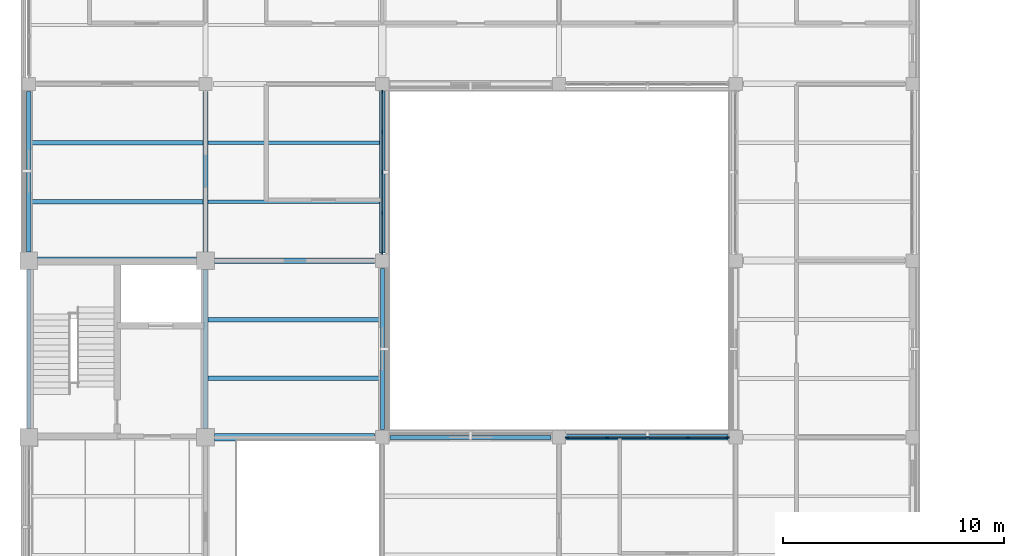
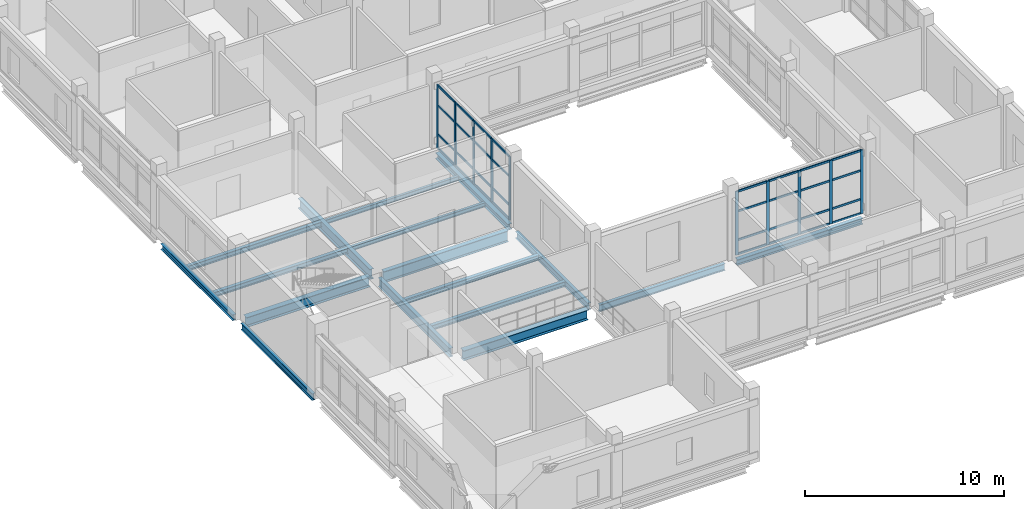
# One storey, part 10 of 121: 42 members, 17 beams, 2 elements without a shape of their own.
"""IFC4 building model written with IfcOpenShell, lengths in metres."""

from ifc_helpers import new_model, si_unit, derived_unit, direction, frame, origin, origin_2d, place, context, subcontext, project, spatial, rectangle, i_section, extrude, material, layer, layer_set, material_profile, profile_set, type_object, element, aggregate, save


model = new_model("IFC4")

# Units and contexts
model_context = context("Model", 3, precision=1e-05, world=origin(), true_north=direction((0.0, 1.0)))
body_context = subcontext(model_context, "Body", "Model", "MODEL_VIEW")
ifc_project = project(units=[si_unit("LENGTHUNIT", "METRE"), si_unit("AREAUNIT", "SQUARE_METRE"), si_unit("VOLUMEUNIT", "CUBIC_METRE"), si_unit("PLANEANGLEUNIT", "RADIAN"), si_unit("MASSUNIT", "GRAM", prefix="KILO"), derived_unit("THERMALTRANSMITTANCEUNIT", [(si_unit("MASSUNIT", "GRAM", prefix="KILO"), 1), (si_unit("TIMEUNIT", "SECOND"), -3), (si_unit("THERMODYNAMICTEMPERATUREUNIT", "KELVIN"), -1)])], contexts=[model_context])

# Site, building, storey
site_placement = place(None, origin())
site = spatial("IfcSite", under=ifc_project, at=site_placement, CompositionType="ELEMENT")
building_placement = place(site_placement, origin())
building = spatial("IfcBuilding", under=site, at=building_placement, Name="Veyamyaing Civic Hall", CompositionType="ELEMENT")
storey_placement = place(building_placement, frame((0.0, 0.0, 5.280029296875)))
storey = spatial("IfcBuildingStorey", under=building, at=storey_placement, Name="L01", CompositionType="ELEMENT", Elevation=5.280029296875)

# Beams
ifc_material_1 = material(Name="Steel ASTM A992", Category="steel")
ifc_material_profile_1 = material_profile(ifc_material_1, i_section(OverallWidth=0.256103515625, OverallDepth=0.693115234375, WebThickness=0.014404296875, FlangeThickness=0.023681640625, FilletRadius=0.013916015625, at=origin_2d()), Name="W690X170")
ifc_profile_set_1 = profile_set([ifc_material_profile_1], Name="Steel ASTM A992")
beam_type_1 = type_object("IfcBeamType", Name="B-04", PredefinedType="BEAM", material=ifc_profile_set_1)
beam_1_placement = place(storey_placement, frame((8.39990234375, 24.0, -0.591552734375), z_axis=(1.0, 0.0, 0.0), x_axis=(0.0, 1.0, 0.0)))
element("IfcBeam", 1, at=beam_1_placement, inside=storey, type_object=beam_type_1, Name="Girder B-04 L01 Grid D 2-3", PredefinedType="BEAM", context=body_context, shape_type="SweptSolid", body=[
    extrude(i_section(OverallWidth=0.256103515625, OverallDepth=0.693115234375, WebThickness=0.014404296875, FlangeThickness=0.023681640625, FilletRadius=0.013916015625, at=origin_2d()), origin(), (0.0, 0.0, 1.0), 7.25),
])
ifc_material_profile_2 = material_profile(ifc_material_1, i_section(OverallWidth=0.22998046875, OverallDepth=0.616943359375, WebThickness=0.01318359375, FlangeThickness=0.022216796875, FilletRadius=0.012939453125, at=origin_2d()), Name="W610X140")
ifc_profile_set_2 = profile_set([ifc_material_profile_2], Name="Steel ASTM A992")
beam_type_2 = type_object("IfcBeamType", Name="B-05", PredefinedType="BEAM", material=ifc_profile_set_2)
beam_2_placement = place(storey_placement, frame((8.0, 24.39990234375, -0.553466796875), z_axis=(0.0, 1.0, 0.0), x_axis=(-1.0, 0.0, 0.0)))
element("IfcBeam", 2, at=beam_2_placement, inside=storey, type_object=beam_type_2, Name="Girder B-05 L01 Grid 2 D-E", PredefinedType="BEAM", context=body_context, shape_type="SweptSolid", body=[
    extrude(i_section(OverallWidth=0.22998046875, OverallDepth=0.616943359375, WebThickness=0.01318359375, FlangeThickness=0.022216796875, FilletRadius=0.012939453125, at=origin_2d()), origin(), (0.0, 0.0, 1.0), 7.25),
])
ifc_material_profile_3 = material_profile(ifc_material_1, i_section(OverallWidth=0.179931640625, OverallDepth=0.4130859375, WebThickness=0.009765625, FlangeThickness=0.01611328125, FilletRadius=0.010009765625, at=origin_2d()), Name="W410X74")
ifc_profile_set_3 = profile_set([ifc_material_profile_3], Name="Steel ASTM A992")
beam_type_3 = type_object("IfcBeamType", Name="B-10", PredefinedType="SPANDREL", material=ifc_profile_set_3)
beam_3_placement = place(storey_placement, frame((0.0, 16.39990234375, -0.451416015625), z_axis=(0.0, 1.0, 0.0), x_axis=(-1.0, 0.0, 0.0)))
element("IfcBeam", 3, at=beam_3_placement, inside=storey, type_object=beam_type_3, Name="Girder B-10 L01 Grid 1 C-D", PredefinedType="SPANDREL", context=body_context, shape_type="SweptSolid", body=[
    extrude(i_section(OverallWidth=0.179931640625, OverallDepth=0.4130859375, WebThickness=0.009765625, FlangeThickness=0.01611328125, FilletRadius=0.010009765625, at=origin_2d()), origin(), (0.0, 0.0, 1.0), 7.2001953125),
])
ifc_material_profile_4 = material_profile(ifc_material_1, i_section(OverallWidth=0.2041015625, OverallDepth=0.35009765625, WebThickness=0.0078125, FlangeThickness=0.01513671875, FilletRadius=0.010009765625, at=origin_2d()), Name="W360X72")
ifc_profile_set_4 = profile_set([ifc_material_profile_4], Name="Steel ASTM A992")
beam_type_4 = type_object("IfcBeamType", Name="B-11", PredefinedType="SPANDREL", material=ifc_profile_set_4)
beam_4_placement = place(storey_placement, frame((0.0, 24.39990234375, -0.419921875), z_axis=(0.0, 1.0, 0.0), x_axis=(-1.0, 0.0, 0.0)))
element("IfcBeam", 4, at=beam_4_placement, inside=storey, type_object=beam_type_4, Name="Girder B-11 L01 Grid 1 D-E", PredefinedType="SPANDREL", context=body_context, shape_type="SweptSolid", body=[
    extrude(i_section(OverallWidth=0.2041015625, OverallDepth=0.35009765625, WebThickness=0.0078125, FlangeThickness=0.01513671875, FilletRadius=0.010009765625, at=origin_2d()), origin(), (0.0, 0.0, 1.0), 7.25),
])
ifc_material_profile_5 = material_profile(ifc_material_1, i_section(OverallWidth=0.324951171875, OverallDepth=0.615966796875, WebThickness=0.013916015625, FlangeThickness=0.021484375, FilletRadius=0.013916015625, at=origin_2d()), Name="W610X174")
ifc_profile_set_5 = profile_set([ifc_material_profile_5], Name="Steel ASTM A992")
beam_type_5 = type_object("IfcBeamType", Name="B-15", PredefinedType="BEAM", material=ifc_profile_set_5)
beam_5_placement = place(storey_placement, frame((8.39990234375, 16.0, -0.552978515625), z_axis=(1.0, 0.0, 0.0), x_axis=(0.0, 1.0, 0.0)))
element("IfcBeam", 5, at=beam_5_placement, inside=storey, type_object=beam_type_5, Name="Girder B-15 L01 Grid C 2-3", PredefinedType="BEAM", context=body_context, shape_type="SweptSolid", body=[
    extrude(i_section(OverallWidth=0.324951171875, OverallDepth=0.615966796875, WebThickness=0.013916015625, FlangeThickness=0.021484375, FilletRadius=0.013916015625, at=origin_2d()), origin(), (0.0, 0.0, 1.0), 7.25),
])
beam_6_placement = place(storey_placement, frame((0.39990234375, 24.0, -0.552978515625), z_axis=(1.0, 0.0, 0.0), x_axis=(0.0, 1.0, 0.0)))
element("IfcBeam", 6, at=beam_6_placement, inside=storey, type_object=beam_type_5, Name="Girder B-15 L01 Grid D 1-2", PredefinedType="BEAM", context=body_context, shape_type="SweptSolid", body=[
    extrude(i_section(OverallWidth=0.324951171875, OverallDepth=0.615966796875, WebThickness=0.013916015625, FlangeThickness=0.021484375, FilletRadius=0.013916015625, at=origin_2d()), origin(), (0.0, 0.0, 1.0), 7.2001953125),
])
ifc_material_profile_6 = material_profile(ifc_material_1, i_section(OverallWidth=0.214111328125, OverallDepth=0.549072265625, WebThickness=0.0146484375, FlangeThickness=0.023681640625, FilletRadius=0.011962890625, at=origin_2d()), Name="W530X138")
ifc_profile_set_6 = profile_set([ifc_material_profile_6], Name="Steel ASTM A992")
beam_type_6 = type_object("IfcBeamType", Name="B-16", PredefinedType="BEAM", material=ifc_profile_set_6)
beam_7_placement = place(storey_placement, frame((8.0, 16.39990234375, -0.51953125), z_axis=(0.0, 1.0, 0.0), x_axis=(-1.0, 0.0, 0.0)))
element("IfcBeam", 7, at=beam_7_placement, inside=storey, type_object=beam_type_6, Name="Girder B-16 L01 Grid 2 C-D", PredefinedType="BEAM", context=body_context, shape_type="SweptSolid", body=[
    extrude(i_section(OverallWidth=0.214111328125, OverallDepth=0.549072265625, WebThickness=0.0146484375, FlangeThickness=0.023681640625, FilletRadius=0.011962890625, at=origin_2d()), origin(), (0.0, 0.0, 1.0), 7.2001953125),
])
ifc_material_profile_7 = material_profile(ifc_material_1, i_section(OverallWidth=0.180908203125, OverallDepth=0.4169921875, WebThickness=0.010986328125, FlangeThickness=0.018310546875, FilletRadius=0.010009765625, at=origin_2d()), Name="W410X85")
ifc_profile_set_7 = profile_set([ifc_material_profile_7], Name="Steel ASTM A992")
beam_type_7 = type_object("IfcBeamType", Name="B-19", PredefinedType="SPANDREL", material=ifc_profile_set_7)
for number, where, z_axis, x_axis, name in (
    (8, (16.35009765625, 16.0, -0.45361328125), (1.0, 0.0, 0.0), (0.0, 1.0, 0.0), "Girder B-19 L01 Grid C 3-4"),
    (9, (16.0, 16.35009765625, -0.45361328125), (0.0, 1.0, 0.0), (-1.0, 0.0, 0.0), "Girder B-19 L01 Grid 3 C-D"),
):
    element("IfcBeam", number, at=place(storey_placement, frame(where, z_axis=z_axis, x_axis=x_axis)), inside=storey, type_object=beam_type_7, Name=name, PredefinedType="SPANDREL", context=body_context, shape_type="SweptSolid", body=[
        extrude(i_section(OverallWidth=0.180908203125, OverallDepth=0.4169921875, WebThickness=0.010986328125, FlangeThickness=0.018310546875, FilletRadius=0.010009765625, at=origin_2d()), origin(), (0.0, 0.0, 1.0), 7.2998046875),
    ])
ifc_material_profile_8 = material_profile(ifc_material_1, i_section(OverallWidth=0.25390625, OverallDepth=0.35302734375, WebThickness=0.009521484375, FlangeThickness=0.016357421875, FilletRadius=0.011962890625, at=origin_2d()), Name="W360X91")
ifc_profile_set_8 = profile_set([ifc_material_profile_8], Name="Steel ASTM A992")
beam_type_8 = type_object("IfcBeamType", Name="B-20", PredefinedType="SPANDREL", material=ifc_profile_set_8)
for number, where, z_axis, x_axis, name in (
    (10, (24.35009765625, 16.0, -0.421630859375), (1.0, 0.0, 0.0), (0.0, 1.0, 0.0), "Girder B-20 L01 Grid C 4-5"),
    (11, (16.0, 24.35009765625, -0.421630859375), (0.0, 1.0, 0.0), (-1.0, 0.0, 0.0), "Girder B-20 L01 Grid 3 D-E"),
):
    element("IfcBeam", number, at=place(storey_placement, frame(where, z_axis=z_axis, x_axis=x_axis)), inside=storey, type_object=beam_type_8, Name=name, PredefinedType="SPANDREL", context=body_context, shape_type="SweptSolid", body=[
        extrude(i_section(OverallWidth=0.25390625, OverallDepth=0.35302734375, WebThickness=0.009521484375, FlangeThickness=0.016357421875, FilletRadius=0.011962890625, at=origin_2d()), origin(), (0.0, 0.0, 1.0), 7.2998046875),
    ])

# Curtain wall, members
ifc_material_2 = material(Name="Anodised aluminium 6063-T6", Category="aluminium")
ifc_layer = layer(ifc_material_2, 0.159912109375, Name="Anodised aluminium 6063-T6")
ifc_layer_set = layer_set([ifc_layer], Name="Anodised aluminium 6063-T6")
curtain_wall_type = type_object("IfcCurtainWallType", Name="CW-02", PredefinedType="NOTDEFINED", material=ifc_layer_set)
curtain_wall_1_placement = place(storey_placement, origin())
curtain_wall_1 = element("IfcCurtainWall", 12, at=curtain_wall_1_placement, inside=storey, type_object=curtain_wall_type, Name="Unitized curtain wall CW-02 L01 E 2.4", PredefinedType="NOTDEFINED")
ifc_material_profile_9 = material_profile(ifc_material_2, rectangle(XDim=0.06494140625, YDim=0.159912109375, at=origin_2d()), Name="ALU-MUL-65X160")
ifc_profile_set_9 = profile_set([ifc_material_profile_9], Name="Anodised aluminium 6063-T6")
member_type_1 = type_object("IfcMemberType", Name="CWM-01", PredefinedType="MULLION", material=ifc_profile_set_9)
member_1_placement = place(storey_placement, frame((16.0, 24.362548828125, 0.0), z_axis=(0.0, 0.0, 1.0), x_axis=(-1.0, 0.0, 0.0)))
member_1 = element("IfcMember", 13, at=member_1_placement, type_object=member_type_1, Name="CW-02 mullion 1", PredefinedType="MULLION", context=body_context, shape_type="SweptSolid", body=[
    extrude(rectangle(XDim=0.06494140625, YDim=0.159912109375, at=origin_2d()), origin(), (0.0, 0.0, 1.0), 3.9140625),
])
member_2_placement = place(storey_placement, frame((16.0, 26.1650390625, 0.0), z_axis=(0.0, 0.0, 1.0), x_axis=(-1.0, 0.0, 0.0)))
member_2 = element("IfcMember", 14, at=member_2_placement, type_object=member_type_1, Name="CW-02 mullion 2", PredefinedType="MULLION", context=body_context, shape_type="SweptSolid", body=[
    extrude(rectangle(XDim=0.06494140625, YDim=0.159912109375, at=origin_2d()), origin(), (0.0, 0.0, 1.0), 3.9140625),
])
member_3_placement = place(storey_placement, frame((16.0, 28.0, 0.0), z_axis=(0.0, 0.0, 1.0), x_axis=(-1.0, 0.0, 0.0)))
member_3 = element("IfcMember", 15, at=member_3_placement, type_object=member_type_1, Name="CW-02 mullion 3", PredefinedType="MULLION", context=body_context, shape_type="SweptSolid", body=[
    extrude(rectangle(XDim=0.06494140625, YDim=0.159912109375, at=origin_2d()), origin(), (0.0, 0.0, 1.0), 3.9140625),
])
member_4_placement = place(storey_placement, frame((16.0, 29.8349609375, 0.0), z_axis=(0.0, 0.0, 1.0), x_axis=(-1.0, 0.0, 0.0)))
member_4 = element("IfcMember", 16, at=member_4_placement, type_object=member_type_1, Name="CW-02 mullion 4", PredefinedType="MULLION", context=body_context, shape_type="SweptSolid", body=[
    extrude(rectangle(XDim=0.06494140625, YDim=0.159912109375, at=origin_2d()), origin(), (0.0, 0.0, 1.0), 3.9140625),
])
member_5_placement = place(storey_placement, frame((16.0, 31.637451171875, 0.0), z_axis=(0.0, 0.0, 1.0), x_axis=(-1.0, 0.0, 0.0)))
member_5 = element("IfcMember", 17, at=member_5_placement, type_object=member_type_1, Name="CW-02 mullion 5", PredefinedType="MULLION", context=body_context, shape_type="SweptSolid", body=[
    extrude(rectangle(XDim=0.06494140625, YDim=0.159912109375, at=origin_2d()), origin(), (0.0, 0.0, 1.0), 3.9140625),
])

curtain_wall_2_placement = place(storey_placement, origin())
curtain_wall_2 = element("IfcCurtainWall", 18, at=curtain_wall_2_placement, inside=storey, type_object=curtain_wall_type, Name="Unitized curtain wall CW-02 L01 N 4.2", PredefinedType="NOTDEFINED")
member_6_placement = place(storey_placement, frame((24.362548828125, 16.0, 0.0), z_axis=(0.0, 0.0, 1.0), x_axis=(0.0, 1.0, 0.0)))
member_6 = element("IfcMember", 19, at=member_6_placement, type_object=member_type_1, Name="CW-02 mullion 1", PredefinedType="MULLION", context=body_context, shape_type="SweptSolid", body=[
    extrude(rectangle(XDim=0.06494140625, YDim=0.159912109375, at=origin_2d()), origin(), (0.0, 0.0, 1.0), 3.9140625),
])
member_7_placement = place(storey_placement, frame((26.1650390625, 16.0, 0.0), z_axis=(0.0, 0.0, 1.0), x_axis=(0.0, 1.0, 0.0)))
member_7 = element("IfcMember", 20, at=member_7_placement, type_object=member_type_1, Name="CW-02 mullion 2", PredefinedType="MULLION", context=body_context, shape_type="SweptSolid", body=[
    extrude(rectangle(XDim=0.06494140625, YDim=0.159912109375, at=origin_2d()), origin(), (0.0, 0.0, 1.0), 3.9140625),
])
member_8_placement = place(storey_placement, frame((28.0, 16.0, 0.0), z_axis=(0.0, 0.0, 1.0), x_axis=(0.0, 1.0, 0.0)))
member_8 = element("IfcMember", 21, at=member_8_placement, type_object=member_type_1, Name="CW-02 mullion 3", PredefinedType="MULLION", context=body_context, shape_type="SweptSolid", body=[
    extrude(rectangle(XDim=0.06494140625, YDim=0.159912109375, at=origin_2d()), origin(), (0.0, 0.0, 1.0), 3.9140625),
])
member_9_placement = place(storey_placement, frame((29.8349609375, 16.0, 0.0), z_axis=(0.0, 0.0, 1.0), x_axis=(0.0, 1.0, 0.0)))
member_9 = element("IfcMember", 22, at=member_9_placement, type_object=member_type_1, Name="CW-02 mullion 4", PredefinedType="MULLION", context=body_context, shape_type="SweptSolid", body=[
    extrude(rectangle(XDim=0.06494140625, YDim=0.159912109375, at=origin_2d()), origin(), (0.0, 0.0, 1.0), 3.9140625),
])
member_10_placement = place(storey_placement, frame((31.637451171875, 16.0, 0.0), z_axis=(0.0, 0.0, 1.0), x_axis=(0.0, 1.0, 0.0)))
member_10 = element("IfcMember", 23, at=member_10_placement, type_object=member_type_1, Name="CW-02 mullion 5", PredefinedType="MULLION", context=body_context, shape_type="SweptSolid", body=[
    extrude(rectangle(XDim=0.06494140625, YDim=0.159912109375, at=origin_2d()), origin(), (0.0, 0.0, 1.0), 3.9140625),
])

# Member
ifc_material_profile_10 = material_profile(ifc_material_2, rectangle(XDim=0.06494140625, YDim=0.1201171875, at=origin_2d()), Name="ALU-TRN-65X120")
ifc_profile_set_10 = profile_set([ifc_material_profile_10], Name="Anodised aluminium 6063-T6")
member_type_2 = type_object("IfcMemberType", Name="CWT-01", PredefinedType="USERDEFINED", material=ifc_profile_set_10)
member_11_placement = place(storey_placement, frame((16.0, 24.39501953125, 0.032470703125), z_axis=(0.0, 1.0, 0.0), x_axis=(-1.0, 0.0, 0.0)))
member_11 = element("IfcMember", 24, at=member_11_placement, type_object=member_type_2, Name="CW-02 transom 1.1", ObjectType="TRANSOM", PredefinedType="USERDEFINED", context=body_context, shape_type="SweptSolid", body=[
    extrude(rectangle(XDim=0.06494140625, YDim=0.1201171875, at=origin_2d()), origin(), (0.0, 0.0, 1.0), 1.737548828125),
])

member_12_placement = place(storey_placement, frame((16.0, 24.39501953125, 0.89990234375), z_axis=(0.0, 1.0, 0.0), x_axis=(-1.0, 0.0, 0.0)))
member_12 = element("IfcMember", 25, at=member_12_placement, type_object=member_type_2, Name="CW-02 transom 1.2", ObjectType="TRANSOM", PredefinedType="USERDEFINED", context=body_context, shape_type="SweptSolid", body=[
    extrude(rectangle(XDim=0.06494140625, YDim=0.1201171875, at=origin_2d()), origin(), (0.0, 0.0, 1.0), 1.737548828125),
])

member_13_placement = place(storey_placement, frame((16.0, 24.39501953125, 2.661376953125), z_axis=(0.0, 1.0, 0.0), x_axis=(-1.0, 0.0, 0.0)))
member_13 = element("IfcMember", 26, at=member_13_placement, type_object=member_type_2, Name="CW-02 transom 1.3", ObjectType="TRANSOM", PredefinedType="USERDEFINED", context=body_context, shape_type="SweptSolid", body=[
    extrude(rectangle(XDim=0.06494140625, YDim=0.1201171875, at=origin_2d()), origin(), (0.0, 0.0, 1.0), 1.737548828125),
])

member_14_placement = place(storey_placement, frame((16.0, 24.39501953125, 3.881591796875), z_axis=(0.0, 1.0, 0.0), x_axis=(-1.0, 0.0, 0.0)))
member_14 = element("IfcMember", 27, at=member_14_placement, type_object=member_type_2, Name="CW-02 transom 1.4", ObjectType="TRANSOM", PredefinedType="USERDEFINED", context=body_context, shape_type="SweptSolid", body=[
    extrude(rectangle(XDim=0.06494140625, YDim=0.1201171875, at=origin_2d()), origin(), (0.0, 0.0, 1.0), 1.737548828125),
])

member_15_placement = place(storey_placement, frame((16.0, 26.197509765625, 0.032470703125), z_axis=(0.0, 1.0, 0.0), x_axis=(-1.0, 0.0, 0.0)))
member_15 = element("IfcMember", 28, at=member_15_placement, type_object=member_type_2, Name="CW-02 transom 2.1", ObjectType="TRANSOM", PredefinedType="USERDEFINED", context=body_context, shape_type="SweptSolid", body=[
    extrude(rectangle(XDim=0.06494140625, YDim=0.1201171875, at=origin_2d()), origin(), (0.0, 0.0, 1.0), 1.77001953125),
])

member_16_placement = place(storey_placement, frame((16.0, 26.197509765625, 0.89990234375), z_axis=(0.0, 1.0, 0.0), x_axis=(-1.0, 0.0, 0.0)))
member_16 = element("IfcMember", 29, at=member_16_placement, type_object=member_type_2, Name="CW-02 transom 2.2", ObjectType="TRANSOM", PredefinedType="USERDEFINED", context=body_context, shape_type="SweptSolid", body=[
    extrude(rectangle(XDim=0.06494140625, YDim=0.1201171875, at=origin_2d()), origin(), (0.0, 0.0, 1.0), 1.77001953125),
])

member_17_placement = place(storey_placement, frame((16.0, 26.197509765625, 2.661376953125), z_axis=(0.0, 1.0, 0.0), x_axis=(-1.0, 0.0, 0.0)))
member_17 = element("IfcMember", 30, at=member_17_placement, type_object=member_type_2, Name="CW-02 transom 2.3", ObjectType="TRANSOM", PredefinedType="USERDEFINED", context=body_context, shape_type="SweptSolid", body=[
    extrude(rectangle(XDim=0.06494140625, YDim=0.1201171875, at=origin_2d()), origin(), (0.0, 0.0, 1.0), 1.77001953125),
])

member_18_placement = place(storey_placement, frame((16.0, 26.197509765625, 3.881591796875), z_axis=(0.0, 1.0, 0.0), x_axis=(-1.0, 0.0, 0.0)))
member_18 = element("IfcMember", 31, at=member_18_placement, type_object=member_type_2, Name="CW-02 transom 2.4", ObjectType="TRANSOM", PredefinedType="USERDEFINED", context=body_context, shape_type="SweptSolid", body=[
    extrude(rectangle(XDim=0.06494140625, YDim=0.1201171875, at=origin_2d()), origin(), (0.0, 0.0, 1.0), 1.77001953125),
])

member_19_placement = place(storey_placement, frame((16.0, 28.032470703125, 0.032470703125), z_axis=(0.0, 1.0, 0.0), x_axis=(-1.0, 0.0, 0.0)))
member_19 = element("IfcMember", 32, at=member_19_placement, type_object=member_type_2, Name="CW-02 transom 3.1", ObjectType="TRANSOM", PredefinedType="USERDEFINED", context=body_context, shape_type="SweptSolid", body=[
    extrude(rectangle(XDim=0.06494140625, YDim=0.1201171875, at=origin_2d()), origin(), (0.0, 0.0, 1.0), 1.77001953125),
])

member_20_placement = place(storey_placement, frame((16.0, 28.032470703125, 0.89990234375), z_axis=(0.0, 1.0, 0.0), x_axis=(-1.0, 0.0, 0.0)))
member_20 = element("IfcMember", 33, at=member_20_placement, type_object=member_type_2, Name="CW-02 transom 3.2", ObjectType="TRANSOM", PredefinedType="USERDEFINED", context=body_context, shape_type="SweptSolid", body=[
    extrude(rectangle(XDim=0.06494140625, YDim=0.1201171875, at=origin_2d()), origin(), (0.0, 0.0, 1.0), 1.77001953125),
])

member_21_placement = place(storey_placement, frame((16.0, 28.032470703125, 2.661376953125), z_axis=(0.0, 1.0, 0.0), x_axis=(-1.0, 0.0, 0.0)))
member_21 = element("IfcMember", 34, at=member_21_placement, type_object=member_type_2, Name="CW-02 transom 3.3", ObjectType="TRANSOM", PredefinedType="USERDEFINED", context=body_context, shape_type="SweptSolid", body=[
    extrude(rectangle(XDim=0.06494140625, YDim=0.1201171875, at=origin_2d()), origin(), (0.0, 0.0, 1.0), 1.77001953125),
])

member_22_placement = place(storey_placement, frame((16.0, 28.032470703125, 3.881591796875), z_axis=(0.0, 1.0, 0.0), x_axis=(-1.0, 0.0, 0.0)))
member_22 = element("IfcMember", 35, at=member_22_placement, type_object=member_type_2, Name="CW-02 transom 3.4", ObjectType="TRANSOM", PredefinedType="USERDEFINED", context=body_context, shape_type="SweptSolid", body=[
    extrude(rectangle(XDim=0.06494140625, YDim=0.1201171875, at=origin_2d()), origin(), (0.0, 0.0, 1.0), 1.77001953125),
])

member_23_placement = place(storey_placement, frame((16.0, 29.867431640625, 0.032470703125), z_axis=(0.0, 1.0, 0.0), x_axis=(-1.0, 0.0, 0.0)))
member_23 = element("IfcMember", 36, at=member_23_placement, type_object=member_type_2, Name="CW-02 transom 4.1", ObjectType="TRANSOM", PredefinedType="USERDEFINED", context=body_context, shape_type="SweptSolid", body=[
    extrude(rectangle(XDim=0.06494140625, YDim=0.1201171875, at=origin_2d()), origin(), (0.0, 0.0, 1.0), 1.737548828125),
])

member_24_placement = place(storey_placement, frame((16.0, 29.867431640625, 0.89990234375), z_axis=(0.0, 1.0, 0.0), x_axis=(-1.0, 0.0, 0.0)))
member_24 = element("IfcMember", 37, at=member_24_placement, type_object=member_type_2, Name="CW-02 transom 4.2", ObjectType="TRANSOM", PredefinedType="USERDEFINED", context=body_context, shape_type="SweptSolid", body=[
    extrude(rectangle(XDim=0.06494140625, YDim=0.1201171875, at=origin_2d()), origin(), (0.0, 0.0, 1.0), 1.737548828125),
])

member_25_placement = place(storey_placement, frame((16.0, 29.867431640625, 2.661376953125), z_axis=(0.0, 1.0, 0.0), x_axis=(-1.0, 0.0, 0.0)))
member_25 = element("IfcMember", 38, at=member_25_placement, type_object=member_type_2, Name="CW-02 transom 4.3", ObjectType="TRANSOM", PredefinedType="USERDEFINED", context=body_context, shape_type="SweptSolid", body=[
    extrude(rectangle(XDim=0.06494140625, YDim=0.1201171875, at=origin_2d()), origin(), (0.0, 0.0, 1.0), 1.737548828125),
])

member_26_placement = place(storey_placement, frame((16.0, 29.867431640625, 3.881591796875), z_axis=(0.0, 1.0, 0.0), x_axis=(-1.0, 0.0, 0.0)))
member_26 = element("IfcMember", 39, at=member_26_placement, type_object=member_type_2, Name="CW-02 transom 4.4", ObjectType="TRANSOM", PredefinedType="USERDEFINED", context=body_context, shape_type="SweptSolid", body=[
    extrude(rectangle(XDim=0.06494140625, YDim=0.1201171875, at=origin_2d()), origin(), (0.0, 0.0, 1.0), 1.737548828125),
])

aggregate(curtain_wall_1, [member_1, member_2, member_3, member_4, member_5, member_11, member_12, member_13, member_14, member_15, member_16, member_17, member_18, member_19, member_20, member_21, member_22, member_23, member_24, member_25, member_26])

member_27_placement = place(storey_placement, frame((24.39501953125, 16.0, 0.032470703125), z_axis=(1.0, 0.0, 0.0), x_axis=(0.0, 1.0, 0.0)))
member_27 = element("IfcMember", 40, at=member_27_placement, type_object=member_type_2, Name="CW-02 transom 1.1", ObjectType="TRANSOM", PredefinedType="USERDEFINED", context=body_context, shape_type="SweptSolid", body=[
    extrude(rectangle(XDim=0.06494140625, YDim=0.1201171875, at=origin_2d()), origin(), (0.0, 0.0, 1.0), 1.737548828125),
])

member_28_placement = place(storey_placement, frame((24.39501953125, 16.0, 0.89990234375), z_axis=(1.0, 0.0, 0.0), x_axis=(0.0, 1.0, 0.0)))
member_28 = element("IfcMember", 41, at=member_28_placement, type_object=member_type_2, Name="CW-02 transom 1.2", ObjectType="TRANSOM", PredefinedType="USERDEFINED", context=body_context, shape_type="SweptSolid", body=[
    extrude(rectangle(XDim=0.06494140625, YDim=0.1201171875, at=origin_2d()), origin(), (0.0, 0.0, 1.0), 1.737548828125),
])

member_29_placement = place(storey_placement, frame((24.39501953125, 16.0, 2.661376953125), z_axis=(1.0, 0.0, 0.0), x_axis=(0.0, 1.0, 0.0)))
member_29 = element("IfcMember", 42, at=member_29_placement, type_object=member_type_2, Name="CW-02 transom 1.3", ObjectType="TRANSOM", PredefinedType="USERDEFINED", context=body_context, shape_type="SweptSolid", body=[
    extrude(rectangle(XDim=0.06494140625, YDim=0.1201171875, at=origin_2d()), origin(), (0.0, 0.0, 1.0), 1.737548828125),
])

member_30_placement = place(storey_placement, frame((24.39501953125, 16.0, 3.881591796875), z_axis=(1.0, 0.0, 0.0), x_axis=(0.0, 1.0, 0.0)))
member_30 = element("IfcMember", 43, at=member_30_placement, type_object=member_type_2, Name="CW-02 transom 1.4", ObjectType="TRANSOM", PredefinedType="USERDEFINED", context=body_context, shape_type="SweptSolid", body=[
    extrude(rectangle(XDim=0.06494140625, YDim=0.1201171875, at=origin_2d()), origin(), (0.0, 0.0, 1.0), 1.737548828125),
])

member_31_placement = place(storey_placement, frame((26.197509765625, 16.0, 0.032470703125), z_axis=(1.0, 0.0, 0.0), x_axis=(0.0, 1.0, 0.0)))
member_31 = element("IfcMember", 44, at=member_31_placement, type_object=member_type_2, Name="CW-02 transom 2.1", ObjectType="TRANSOM", PredefinedType="USERDEFINED", context=body_context, shape_type="SweptSolid", body=[
    extrude(rectangle(XDim=0.06494140625, YDim=0.1201171875, at=origin_2d()), origin(), (0.0, 0.0, 1.0), 1.77001953125),
])

member_32_placement = place(storey_placement, frame((26.197509765625, 16.0, 0.89990234375), z_axis=(1.0, 0.0, 0.0), x_axis=(0.0, 1.0, 0.0)))
member_32 = element("IfcMember", 45, at=member_32_placement, type_object=member_type_2, Name="CW-02 transom 2.2", ObjectType="TRANSOM", PredefinedType="USERDEFINED", context=body_context, shape_type="SweptSolid", body=[
    extrude(rectangle(XDim=0.06494140625, YDim=0.1201171875, at=origin_2d()), origin(), (0.0, 0.0, 1.0), 1.77001953125),
])

member_33_placement = place(storey_placement, frame((26.197509765625, 16.0, 2.661376953125), z_axis=(1.0, 0.0, 0.0), x_axis=(0.0, 1.0, 0.0)))
member_33 = element("IfcMember", 46, at=member_33_placement, type_object=member_type_2, Name="CW-02 transom 2.3", ObjectType="TRANSOM", PredefinedType="USERDEFINED", context=body_context, shape_type="SweptSolid", body=[
    extrude(rectangle(XDim=0.06494140625, YDim=0.1201171875, at=origin_2d()), origin(), (0.0, 0.0, 1.0), 1.77001953125),
])

member_34_placement = place(storey_placement, frame((26.197509765625, 16.0, 3.881591796875), z_axis=(1.0, 0.0, 0.0), x_axis=(0.0, 1.0, 0.0)))
member_34 = element("IfcMember", 47, at=member_34_placement, type_object=member_type_2, Name="CW-02 transom 2.4", ObjectType="TRANSOM", PredefinedType="USERDEFINED", context=body_context, shape_type="SweptSolid", body=[
    extrude(rectangle(XDim=0.06494140625, YDim=0.1201171875, at=origin_2d()), origin(), (0.0, 0.0, 1.0), 1.77001953125),
])

member_35_placement = place(storey_placement, frame((28.032470703125, 16.0, 0.032470703125), z_axis=(1.0, 0.0, 0.0), x_axis=(0.0, 1.0, 0.0)))
member_35 = element("IfcMember", 48, at=member_35_placement, type_object=member_type_2, Name="CW-02 transom 3.1", ObjectType="TRANSOM", PredefinedType="USERDEFINED", context=body_context, shape_type="SweptSolid", body=[
    extrude(rectangle(XDim=0.06494140625, YDim=0.1201171875, at=origin_2d()), origin(), (0.0, 0.0, 1.0), 1.77001953125),
])

member_36_placement = place(storey_placement, frame((28.032470703125, 16.0, 0.89990234375), z_axis=(1.0, 0.0, 0.0), x_axis=(0.0, 1.0, 0.0)))
member_36 = element("IfcMember", 49, at=member_36_placement, type_object=member_type_2, Name="CW-02 transom 3.2", ObjectType="TRANSOM", PredefinedType="USERDEFINED", context=body_context, shape_type="SweptSolid", body=[
    extrude(rectangle(XDim=0.06494140625, YDim=0.1201171875, at=origin_2d()), origin(), (0.0, 0.0, 1.0), 1.77001953125),
])

member_37_placement = place(storey_placement, frame((28.032470703125, 16.0, 2.661376953125), z_axis=(1.0, 0.0, 0.0), x_axis=(0.0, 1.0, 0.0)))
member_37 = element("IfcMember", 50, at=member_37_placement, type_object=member_type_2, Name="CW-02 transom 3.3", ObjectType="TRANSOM", PredefinedType="USERDEFINED", context=body_context, shape_type="SweptSolid", body=[
    extrude(rectangle(XDim=0.06494140625, YDim=0.1201171875, at=origin_2d()), origin(), (0.0, 0.0, 1.0), 1.77001953125),
])

member_38_placement = place(storey_placement, frame((28.032470703125, 16.0, 3.881591796875), z_axis=(1.0, 0.0, 0.0), x_axis=(0.0, 1.0, 0.0)))
member_38 = element("IfcMember", 51, at=member_38_placement, type_object=member_type_2, Name="CW-02 transom 3.4", ObjectType="TRANSOM", PredefinedType="USERDEFINED", context=body_context, shape_type="SweptSolid", body=[
    extrude(rectangle(XDim=0.06494140625, YDim=0.1201171875, at=origin_2d()), origin(), (0.0, 0.0, 1.0), 1.77001953125),
])

member_39_placement = place(storey_placement, frame((29.867431640625, 16.0, 0.032470703125), z_axis=(1.0, 0.0, 0.0), x_axis=(0.0, 1.0, 0.0)))
member_39 = element("IfcMember", 52, at=member_39_placement, type_object=member_type_2, Name="CW-02 transom 4.1", ObjectType="TRANSOM", PredefinedType="USERDEFINED", context=body_context, shape_type="SweptSolid", body=[
    extrude(rectangle(XDim=0.06494140625, YDim=0.1201171875, at=origin_2d()), origin(), (0.0, 0.0, 1.0), 1.737548828125),
])

member_40_placement = place(storey_placement, frame((29.867431640625, 16.0, 0.89990234375), z_axis=(1.0, 0.0, 0.0), x_axis=(0.0, 1.0, 0.0)))
member_40 = element("IfcMember", 53, at=member_40_placement, type_object=member_type_2, Name="CW-02 transom 4.2", ObjectType="TRANSOM", PredefinedType="USERDEFINED", context=body_context, shape_type="SweptSolid", body=[
    extrude(rectangle(XDim=0.06494140625, YDim=0.1201171875, at=origin_2d()), origin(), (0.0, 0.0, 1.0), 1.737548828125),
])

member_41_placement = place(storey_placement, frame((29.867431640625, 16.0, 2.661376953125), z_axis=(1.0, 0.0, 0.0), x_axis=(0.0, 1.0, 0.0)))
member_41 = element("IfcMember", 54, at=member_41_placement, type_object=member_type_2, Name="CW-02 transom 4.3", ObjectType="TRANSOM", PredefinedType="USERDEFINED", context=body_context, shape_type="SweptSolid", body=[
    extrude(rectangle(XDim=0.06494140625, YDim=0.1201171875, at=origin_2d()), origin(), (0.0, 0.0, 1.0), 1.737548828125),
])

member_42_placement = place(storey_placement, frame((29.867431640625, 16.0, 3.881591796875), z_axis=(1.0, 0.0, 0.0), x_axis=(0.0, 1.0, 0.0)))
member_42 = element("IfcMember", 55, at=member_42_placement, type_object=member_type_2, Name="CW-02 transom 4.4", ObjectType="TRANSOM", PredefinedType="USERDEFINED", context=body_context, shape_type="SweptSolid", body=[
    extrude(rectangle(XDim=0.06494140625, YDim=0.1201171875, at=origin_2d()), origin(), (0.0, 0.0, 1.0), 1.737548828125),
])

aggregate(curtain_wall_2, [member_6, member_7, member_8, member_9, member_10, member_27, member_28, member_29, member_30, member_31, member_32, member_33, member_34, member_35, member_36, member_37, member_38, member_39, member_40, member_41, member_42])

# Beams
ifc_material_profile_11 = material_profile(ifc_material_1, i_section(OverallWidth=0.2041015625, OverallDepth=0.305908203125, WebThickness=0.008544921875, FlangeThickness=0.0146484375, FilletRadius=0.010009765625, at=origin_2d()), Name="W310X67")
ifc_profile_set_11 = profile_set([ifc_material_profile_11], Name="Steel ASTM A992")
beam_type_9 = type_object("IfcBeamType", Name="J-06", PredefinedType="JOIST", material=ifc_profile_set_11)
for number, where, z_axis, x_axis, name in (
    (56, (0.10009765625, 26.666748046875, -0.39794921875), (1.0, 0.0, 0.0), (0.0, 1.0, 0.0), "Composite floor joist J-06 L01 1.4.1"),
    (57, (0.10009765625, 29.333251953125, -0.39794921875), (1.0, 0.0, 0.0), (0.0, 1.0, 0.0), "Composite floor joist J-06 L01 1.4.2"),
):
    element("IfcBeam", number, at=place(storey_placement, frame(where, z_axis=z_axis, x_axis=x_axis)), inside=storey, type_object=beam_type_9, Name=name, PredefinedType="JOIST", context=body_context, shape_type="SweptSolid", body=[
        extrude(i_section(OverallWidth=0.2041015625, OverallDepth=0.305908203125, WebThickness=0.008544921875, FlangeThickness=0.0146484375, FilletRadius=0.010009765625, at=origin_2d()), origin(), (0.0, 0.0, 1.0), 7.786865234375),
    ])
for number, where, z_axis, x_axis, name in (
    (58, (8.10498046875, 18.666748046875, -0.39794921875), (1.0, 0.0, 0.0), (0.0, 1.0, 0.0), "Composite floor joist J-06 L01 2.3.1"),
    (59, (8.10498046875, 21.333251953125, -0.39794921875), (1.0, 0.0, 0.0), (0.0, 1.0, 0.0), "Composite floor joist J-06 L01 2.3.2"),
):
    element("IfcBeam", number, at=place(storey_placement, frame(where, z_axis=z_axis, x_axis=x_axis)), inside=storey, type_object=beam_type_9, Name=name, PredefinedType="JOIST", context=body_context, shape_type="SweptSolid", body=[
        extrude(i_section(OverallWidth=0.2041015625, OverallDepth=0.305908203125, WebThickness=0.008544921875, FlangeThickness=0.0146484375, FilletRadius=0.010009765625, at=origin_2d()), origin(), (0.0, 0.0, 1.0), 7.806640625),
    ])
ifc_material_profile_12 = material_profile(ifc_material_1, i_section(OverallWidth=0.14794921875, OverallDepth=0.26611328125, WebThickness=0.007568359375, FlangeThickness=0.012939453125, FilletRadius=0.010009765625, at=origin_2d()), Name="W250X45")
ifc_profile_set_12 = profile_set([ifc_material_profile_12], Name="Steel ASTM A992")
beam_type_10 = type_object("IfcBeamType", Name="J-07", PredefinedType="JOIST", material=ifc_profile_set_12)
for number, where, z_axis, x_axis, name in (
    (60, (8.113037109375, 26.666748046875, -0.3779296875), (1.0, 0.0, 0.0), (0.0, 1.0, 0.0), "Composite floor joist J-07 L01 2.4.1"),
    (61, (8.113037109375, 29.333251953125, -0.3779296875), (1.0, 0.0, 0.0), (0.0, 1.0, 0.0), "Composite floor joist J-07 L01 2.4.2"),
):
    element("IfcBeam", number, at=place(storey_placement, frame(where, z_axis=z_axis, x_axis=x_axis)), inside=storey, type_object=beam_type_10, Name=name, PredefinedType="JOIST", context=body_context, shape_type="SweptSolid", body=[
        extrude(i_section(OverallWidth=0.14794921875, OverallDepth=0.26611328125, WebThickness=0.007568359375, FlangeThickness=0.012939453125, FilletRadius=0.010009765625, at=origin_2d()), origin(), (0.0, 0.0, 1.0), 7.761962890625),
    ])

save(model, "model.ifc")
